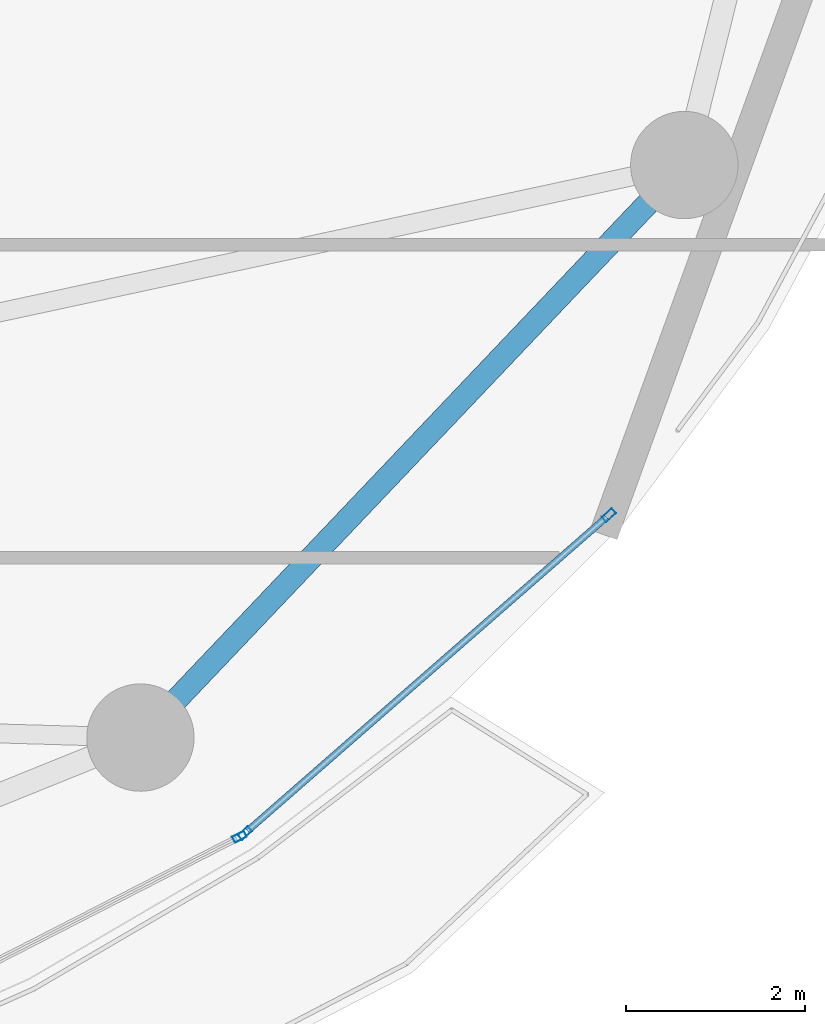
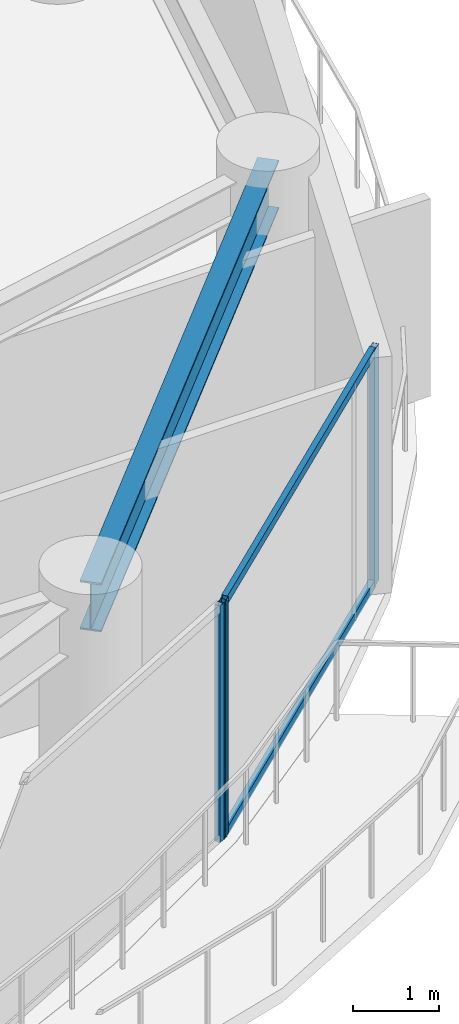
# One storey, part 13 of 28: 5 members, 1 beam, 2 elements without a shape of their own.
"""IFC4 building model written with IfcOpenShell, lengths in metres."""

import ifcopenshell
import ifcopenshell.guid

model = None  # the IFC model being written
_history = None  # IfcOwnerHistory: only IFC2X3 demands one
_inside = {}  # id of a spatial element -> (the spatial element, [elements in it])
_under = {}  # id of a project, library or spatial element -> (it, [spatial elements below it])
_declared = {}  # id of a project -> (the project, [libraries it declares])
_typed = {}  # id of a type object -> (the type object, [elements of that type])
_made_of = {}  # id of a material, layer set ... -> (it, [elements and type objects made of it])


def new_model(schema):
    """Start an empty IFC model of exactly this schema.

    Asked for "IFC4X3", IfcOpenShell would pick the latest addendum, in which some entities
    have other attributes; the version numbers below select the first issue.
    IFC2X3 requires an IfcOwnerHistory on every rooted entity: one is made here for all.
    """
    global model, _history
    if schema == "IFC4X3":
        model = ifcopenshell.file(schema_version=(4, 3, 0, 0))
    else:
        model = ifcopenshell.file(schema=schema)
    _inside.clear()
    _under.clear()
    _declared.clear()
    _typed.clear()
    _made_of.clear()
    _history = None
    if model.schema == "IFC2X3":
        org = make("IfcOrganization", Name="unknown")
        user = make(
            "IfcPersonAndOrganization",
            ThePerson=make("IfcPerson", FamilyName="unknown"),
            TheOrganization=org,
        )
        app = make(
            "IfcApplication",
            ApplicationDeveloper=org,
            Version="unknown",
            ApplicationFullName="unknown",
            ApplicationIdentifier="unknown",
        )
        _history = make(
            "IfcOwnerHistory",
            OwningUser=user,
            OwningApplication=app,
            ChangeAction="ADDED",
            CreationDate=0,
        )
    return model


def make(cls, **values):
    """One entity of the class cls with the attributes given. An attribute that is None is left unset."""
    return model.create_entity(
        cls, **{name: value for name, value in values.items() if value is not None}
    )


def rooted(cls, **values):
    """An entity with a GlobalId (a new one), such as an element, a storey or a relation."""
    return make(cls, GlobalId=ifcopenshell.guid.new(), OwnerHistory=_history, **values)


def si_unit(unit_type, name, prefix=None):
    """IfcSIUnit, for example si_unit("LENGTHUNIT", "METRE", prefix="MILLI")."""
    return make("IfcSIUnit", UnitType=unit_type, Prefix=prefix, Name=name)


def assignment(units):
    """IfcUnitAssignment: the units of a project."""
    return None if units is None else make("IfcUnitAssignment", Units=units)


def point(xyz):
    """IfcCartesianPoint."""
    return None if xyz is None else make("IfcCartesianPoint", Coordinates=xyz)


def direction(xyz):
    """IfcDirection."""
    return None if xyz is None else make("IfcDirection", DirectionRatios=xyz)


def frame(location, z_axis=None, x_axis=None):
    """IfcAxis2Placement3D, a coordinate frame: its origin and axes. An axis left out is left unset."""
    return make(
        "IfcAxis2Placement3D",
        Location=point(location),
        Axis=direction(z_axis),
        RefDirection=direction(x_axis),
    )


def frame_2d(location, x_axis=None):
    """IfcAxis2Placement2D, a coordinate frame in the plane: its origin and x axis."""
    return make(
        "IfcAxis2Placement2D", Location=point(location), RefDirection=direction(x_axis)
    )


def origin():
    """The frame at (0, 0, 0) with its axes left unset."""
    return frame((0.0, 0.0, 0.0))


def origin_2d():
    """The frame at (0, 0) in the plane with its x axis left unset."""
    return frame_2d((0.0, 0.0))


def place(relative_to, where):
    """IfcLocalPlacement: puts the frame where relative to a parent placement (None: the world)."""
    return make(
        "IfcLocalPlacement", PlacementRelTo=relative_to, RelativePlacement=where
    )


def context(
    kind, dimensions, precision=None, world=None, true_north=None, identifier=None
):
    """IfcGeometricRepresentationContext, for example the 3D "Model" context."""
    return make(
        "IfcGeometricRepresentationContext",
        ContextIdentifier=identifier,
        ContextType=kind,
        CoordinateSpaceDimension=dimensions,
        Precision=precision,
        WorldCoordinateSystem=world,
        TrueNorth=true_north,
    )


def subcontext(parent, identifier, kind, view, scale=None):
    """IfcGeometricRepresentationSubContext, for example "Body" below "Model"."""
    return make(
        "IfcGeometricRepresentationSubContext",
        ContextIdentifier=identifier,
        ContextType=kind,
        ParentContext=parent,
        TargetScale=scale,
        TargetView=view,
    )


def project(units=None, contexts=None):
    """IfcProject with its units and contexts."""
    return rooted(
        "IfcProject",
        Name="project",
        RepresentationContexts=contexts,
        UnitsInContext=assignment(units),
    )


def spatial(cls, under=None, at=None, **own):
    """A site, building, storey or space (cls), placed at a placement, below another one or the project."""
    s = rooted(cls, ObjectPlacement=at, **own)
    if under is not None:
        _under.setdefault(under.id(), (under, []))[1].append(s)
    return s


def profile(cls, at=None, kind="AREA", **sizes):
    """A parametric profile (cls). Its sizes go by their IFC names, for example OverallWidth=200.0."""
    return make(cls, ProfileType=kind, Position=at, **sizes)


def hollow_rectangle(**sizes):
    """IfcRectangleHollowProfileDef."""
    return profile("IfcRectangleHollowProfileDef", **sizes)


def i_section(**sizes):
    """IfcIShapeProfileDef."""
    return profile("IfcIShapeProfileDef", **sizes)


def extrude(swept, where, along, depth):
    """IfcExtrudedAreaSolid: the profile swept, set in the frame where, extruded along a direction by depth."""
    return make(
        "IfcExtrudedAreaSolid",
        SweptArea=swept,
        Position=where,
        ExtrudedDirection=direction(along),
        Depth=depth,
    )


def shape(context_of_items, identifier, shape_type, items):
    """IfcShapeRepresentation: the items that make up one representation, for example the "Body"."""
    return make(
        "IfcShapeRepresentation",
        ContextOfItems=context_of_items,
        RepresentationIdentifier=identifier,
        RepresentationType=shape_type,
        Items=items,
    )


def material(Name=None, Category=None):
    """IfcMaterial."""
    return make("IfcMaterial", Name=Name, Category=Category)


def layer(
    of_material, thickness, ventilated=None, Name=None, Category=None, Priority=None
):
    """IfcMaterialLayer: one layer of a wall or slab, of a material (None: an air gap)."""
    return make(
        "IfcMaterialLayer",
        Material=of_material,
        LayerThickness=thickness,
        IsVentilated=ventilated,
        Name=Name,
        Category=Category,
        Priority=Priority,
    )


def layer_set(layers, Name=None):
    """IfcMaterialLayerSet."""
    return make("IfcMaterialLayerSet", MaterialLayers=layers, LayerSetName=Name)


def material_profile(
    of_material, cross_section, Name=None, Category=None, Priority=None
):
    """IfcMaterialProfile: a cross section and its material."""
    return make(
        "IfcMaterialProfile",
        Name=Name,
        Material=of_material,
        Profile=cross_section,
        Priority=Priority,
        Category=Category,
    )


def profile_set(profiles, Name=None, composite=None):
    """IfcMaterialProfileSet."""
    return make(
        "IfcMaterialProfileSet",
        Name=Name,
        MaterialProfiles=profiles,
        CompositeProfile=composite,
    )


def made_of(thing, what):
    """Note that an element or type object is made of a material, layer set ...; save() writes the relation."""
    if what is not None:
        _made_of.setdefault(what.id(), (what, []))[1].append(thing)
    return thing


def type_object(cls, material=None, **own):
    """A type object (cls), such as IfcWallType, which elements share."""
    return made_of(rooted(cls, **own), material)


def element(
    cls,
    number,
    at=None,
    inside=None,
    cuts=None,
    type_object=None,
    material=None,
    context=None,
    identifier="Body",
    shape_type=None,
    held_by="IfcProductDefinitionShape",
    body=None,
    shapes=None,
    **own,
):
    """One element of the class cls, such as IfcWall. Its Tag is "e" and its number.

    at: its placement. inside: the storey or other place that contains it. cuts: it is an
    opening in that element (IfcRelVoidsElement). A single representation is given by context,
    identifier, shape_type and body (its items); several are given by shapes. held_by: the class
    of the entity that holds the representations. save() writes the other relations.
    """
    e = rooted(cls, Tag="e%d" % number, ObjectPlacement=at, **own)
    if body is not None:
        shapes = [shape(context, identifier, shape_type, body)]
    if shapes is not None:
        e.Representation = make(held_by, Representations=shapes)
    if inside is not None:
        _inside.setdefault(inside.id(), (inside, []))[1].append(e)
    if cuts is not None:
        rooted(
            "IfcRelVoidsElement", RelatingBuildingElement=cuts, RelatedOpeningElement=e
        )
    if type_object is not None:
        _typed.setdefault(type_object.id(), (type_object, []))[1].append(e)
    return made_of(e, material)


def aggregate(whole, parts):
    """IfcRelAggregates: a whole, such as a stair, and the parts it consists of."""
    return rooted("IfcRelAggregates", RelatingObject=whole, RelatedObjects=parts)


def save(model, path):
    """Write the relations noted so far, then the file.

    IfcRelAggregates (storeys below a building ...), IfcRelContainedInSpatialStructure (elements
    in a storey), IfcRelDefinesByType, IfcRelAssociatesMaterial and IfcRelDeclares: one each for
    every whole, place, type object, material and project.
    """
    for whole, parts in _under.values():
        aggregate(whole, parts)
    for where, things in _inside.values():
        rooted(
            "IfcRelContainedInSpatialStructure",
            RelatedElements=things,
            RelatingStructure=where,
        )
    for kind, things in _typed.values():
        rooted("IfcRelDefinesByType", RelatedObjects=things, RelatingType=kind)
    for what, things in _made_of.values():
        rooted("IfcRelAssociatesMaterial", RelatedObjects=things, RelatingMaterial=what)
    for by, libraries in _declared.values():
        rooted("IfcRelDeclares", RelatingContext=by, RelatedDefinitions=libraries)
    model.write(path)


model = new_model("IFC4")

# Units and contexts
model_context = context("Model", 3, precision=1e-05, world=origin(), true_north=direction((0.0, 1.0)))
body_context = subcontext(model_context, "Body", "Model", "MODEL_VIEW")
ifc_project = project(units=[si_unit("LENGTHUNIT", "METRE"), si_unit("AREAUNIT", "SQUARE_METRE"), si_unit("VOLUMEUNIT", "CUBIC_METRE"), si_unit("PLANEANGLEUNIT", "RADIAN"), si_unit("MASSUNIT", "GRAM", prefix="KILO")], contexts=[model_context])

# Site, building, storey
site_placement = place(None, origin())
site = spatial("IfcSite", under=ifc_project, at=site_placement, CompositionType="ELEMENT")
building_placement = place(site_placement, origin())
building = spatial("IfcBuilding", under=site, at=building_placement, Name="Kazevale Care Tower and Concert Hall", CompositionType="ELEMENT")
storey_placement = place(building_placement, frame((0.0, 0.0, 109.800048828125)))
storey = spatial("IfcBuildingStorey", under=building, at=storey_placement, Name="L28", CompositionType="ELEMENT", Elevation=109.800048828125)

# Curtain wall, members
ifc_material_1 = material(Name="Aluminium 6063-T6 and Low-E Glass", Category="aluminium")
ifc_layer = layer(ifc_material_1, 0.179931640625)
ifc_layer_set = layer_set([ifc_layer], Name="Aluminium 6063-T6 and Low-E Glass")
curtain_wall_type = type_object("IfcCurtainWallType", Name="Sheltered Concave Balcony Curtain Wall CW-5", PredefinedType="NOTDEFINED", material=ifc_layer_set)
curtain_wall_1_placement = place(storey_placement, origin())
curtain_wall_1 = element("IfcCurtainWall", 1, at=curtain_wall_1_placement, inside=storey, type_object=curtain_wall_type, Name="cw:L28:f02", PredefinedType="NOTDEFINED")
ifc_material_2 = material(Name="Aluminium 6063-T6", Category="aluminium")
ifc_material_profile_1 = material_profile(ifc_material_2, hollow_rectangle(XDim=0.074951171875, YDim=0.14990234375, WallThickness=0.00390625, at=origin_2d()), Name="ALU75x150x4")
ifc_profile_set_1 = profile_set([ifc_material_profile_1], Name="Aluminium 6063-T6")
member_type_1 = type_object("IfcMemberType", Name="CW-5 Mullion ALU75x150x4", PredefinedType="MULLION", material=ifc_profile_set_1)
member_1_placement = place(storey_placement, frame((70.06787109375, 25.477294921875, 0.0), z_axis=(0.0, 0.0, 1.0), x_axis=(0.657948668382, -0.753062779437, 0.0)))
member_1 = element("IfcMember", 2, at=member_1_placement, type_object=member_type_1, Name="CW-5 mullion 1", PredefinedType="MULLION", context=body_context, shape_type="SweptSolid", body=[
    extrude(hollow_rectangle(XDim=0.074951171875, YDim=0.14990234375, WallThickness=0.00390625, at=origin_2d()), origin(), (0.0, 0.0, 1.0), 3.35986328125),
])
member_2_placement = place(storey_placement, frame((65.999267578125, 21.922607421875, 0.0), z_axis=(0.0, 0.0, 1.0), x_axis=(0.657948668382, -0.753062779437, 0.0)))
member_2 = element("IfcMember", 3, at=member_2_placement, type_object=member_type_1, Name="CW-5 mullion 2", PredefinedType="MULLION", context=body_context, shape_type="SweptSolid", body=[
    extrude(hollow_rectangle(XDim=0.074951171875, YDim=0.14990234375, WallThickness=0.00390625, at=origin_2d()), origin(), (0.0, 0.0, 1.0), 3.35986328125),
])

# Curtain wall, member
curtain_wall_2_placement = place(storey_placement, origin())
curtain_wall_2 = element("IfcCurtainWall", 4, at=curtain_wall_2_placement, inside=storey, type_object=curtain_wall_type, Name="cw:L28:f03", PredefinedType="NOTDEFINED")
member_3_placement = place(storey_placement, frame((65.9375, 21.880859375, 0.0), z_axis=(0.0, 0.0, 1.0), x_axis=(0.455713236575, -0.890126646051, 0.0)))
member_3 = element("IfcMember", 5, at=member_3_placement, type_object=member_type_1, Name="CW-5 mullion 1", PredefinedType="MULLION", context=body_context, shape_type="SweptSolid", body=[
    extrude(hollow_rectangle(XDim=0.074951171875, YDim=0.14990234375, WallThickness=0.00390625, at=origin_2d()), origin(), (0.0, 0.0, 1.0), 3.35986328125),
])
aggregate(curtain_wall_2, [member_3])

# Member
ifc_material_profile_2 = material_profile(ifc_material_2, hollow_rectangle(XDim=0.074951171875, YDim=0.1201171875, WallThickness=0.00390625, at=origin_2d()), Name="ALU75x120x4")
ifc_profile_set_2 = profile_set([ifc_material_profile_2], Name="Aluminium 6063-T6")
member_type_2 = type_object("IfcMemberType", Name="CW-5 Transom ALU75x120x4", PredefinedType="USERDEFINED", material=ifc_profile_set_2)
member_4_placement = place(storey_placement, frame((70.03955078125, 25.45263671875, 0.037353515625), z_axis=(-0.753050570644, -0.657962641837, 0.0), x_axis=(0.657962641837, -0.753050570644, 0.0)))
member_4 = element("IfcMember", 6, at=member_4_placement, type_object=member_type_2, Name="CW-5 transom 1.1", ObjectType="TRANSOM", PredefinedType="USERDEFINED", context=body_context, shape_type="SweptSolid", body=[
    extrude(hollow_rectangle(XDim=0.074951171875, YDim=0.1201171875, WallThickness=0.00390625, at=origin_2d()), origin(), (0.0, 0.0, 1.0), 5.32763671875),
])

member_5_placement = place(storey_placement, frame((70.03955078125, 25.45263671875, 3.322509765625), z_axis=(-0.753050570644, -0.657962641837, 0.0), x_axis=(0.657962641837, -0.753050570644, 0.0)))
member_5 = element("IfcMember", 7, at=member_5_placement, type_object=member_type_2, Name="CW-5 transom 1.2", ObjectType="TRANSOM", PredefinedType="USERDEFINED", context=body_context, shape_type="SweptSolid", body=[
    extrude(hollow_rectangle(XDim=0.074951171875, YDim=0.1201171875, WallThickness=0.00390625, at=origin_2d()), origin(), (0.0, 0.0, 1.0), 5.32763671875),
])

aggregate(curtain_wall_1, [member_1, member_2, member_4, member_5])

# Beam
ifc_material_3 = material(Name="Steel ASTM A572 Gr 50", Category="steel")
ifc_material_profile_3 = material_profile(ifc_material_3, i_section(OverallWidth=0.256103515625, OverallDepth=0.693115234375, WebThickness=0.014404296875, FlangeThickness=0.023681640625, at=origin_2d()), Name="W690x170")
ifc_profile_set_3 = profile_set([ifc_material_profile_3], Name="Steel ASTM A572 Gr 50")
beam_type = type_object("IfcBeamType", Name="Waist Ring Beam W690x170", PredefinedType="BEAM", material=ifc_profile_set_3)
beam_placement = place(storey_placement, frame((64.830078125, 22.989990234375, 3.013427734375), z_axis=(0.688745100728, 0.725003576697, 0.0), x_axis=(-0.725003576697, 0.688745100728, 0.0)))
element("IfcBeam", 8, at=beam_placement, inside=storey, type_object=beam_type, Name="beam:L28:ring:15", PredefinedType="BEAM", context=body_context, shape_type="SweptSolid", body=[
    extrude(i_section(OverallWidth=0.256103515625, OverallDepth=0.693115234375, WebThickness=0.014404296875, FlangeThickness=0.023681640625, at=origin_2d()), origin(), (0.0, 0.0, 1.0), 8.827392578125),
])

save(model, "model.ifc")
